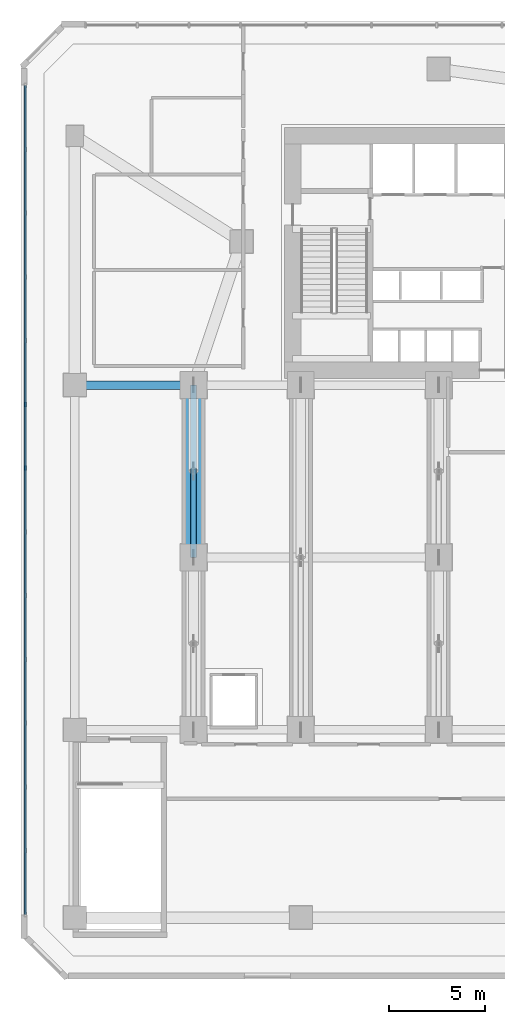
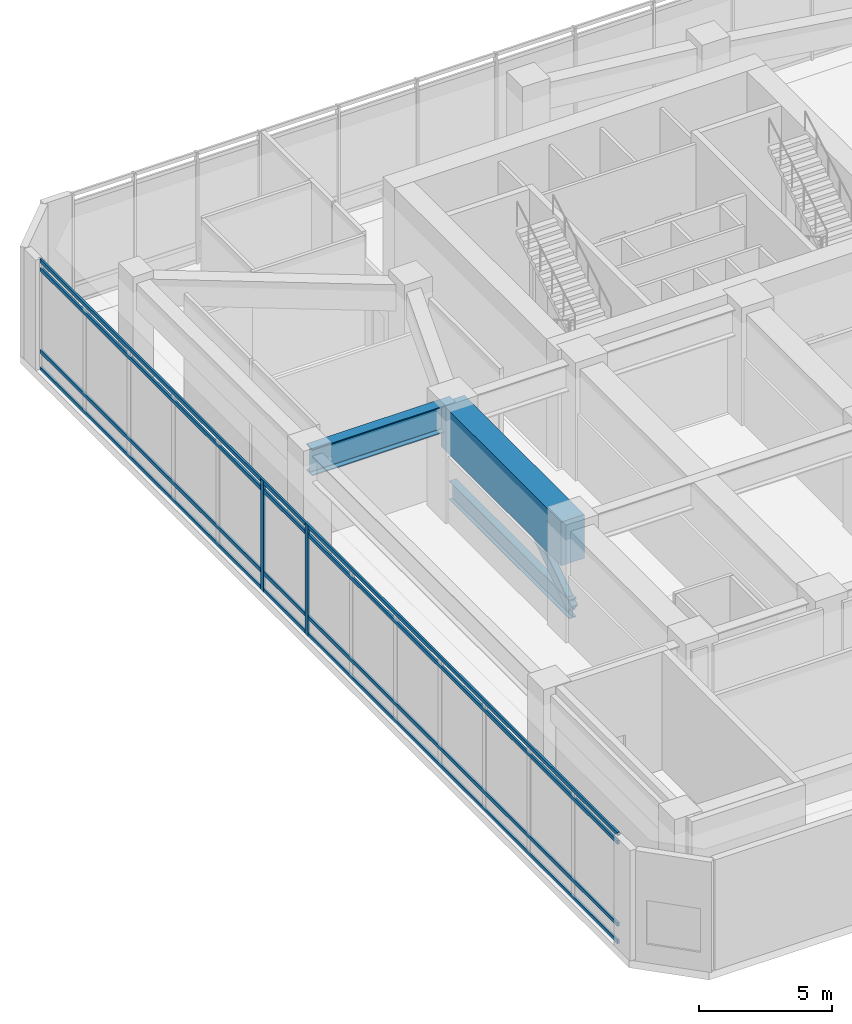
# One storey, part 4 of 21: 7 members, 3 beams, 1 element without a shape of its own.
"""IFC4 building model written with IfcOpenShell, lengths in metres."""

from ifc_helpers import new_model, si_unit, direction, frame, origin, origin_2d, place, context, subcontext, project, spatial, rectangle, hollow_rectangle, i_section, extrude, source, transform, mapped, material, material_profile, profile_set, type_object, element, aggregate, save


model = new_model("IFC4")

# Units and contexts
model_context = context("Model", 3, precision=1e-05, world=origin(), true_north=direction((0.0, 1.0)))
body_context = subcontext(model_context, "Body", "Model", "MODEL_VIEW")
ifc_project = project(units=[si_unit("LENGTHUNIT", "METRE"), si_unit("AREAUNIT", "SQUARE_METRE"), si_unit("VOLUMEUNIT", "CUBIC_METRE"), si_unit("PLANEANGLEUNIT", "RADIAN"), si_unit("MASSUNIT", "GRAM", prefix="KILO")], contexts=[model_context])

# Site, building, storey
site_placement = place(None, origin())
site = spatial("IfcSite", under=ifc_project, at=site_placement, CompositionType="ELEMENT")
building_placement = place(site_placement, origin())
building = spatial("IfcBuilding", under=site, at=building_placement, Name="Calvemar Wedge Station Tower", CompositionType="ELEMENT")
storey_placement = place(building_placement, frame((0.0, 0.0, 21.60009765625)))
storey = spatial("IfcBuildingStorey", under=building, at=storey_placement, Name="L05", CompositionType="ELEMENT", Elevation=21.60009765625)

# Beams
ifc_material_1 = material(Name="Structural steel ASTM A572 Grade 50", Category="steel")
ifc_material_profile_1 = material_profile(ifc_material_1, i_section(OverallWidth=0.303955078125, OverallDepth=0.862060546875, WebThickness=0.019775390625, FlangeThickness=0.035888671875, FilletRadius=0.02001953125, at=origin_2d()), Name="W840x329")
ifc_profile_set_1 = profile_set([ifc_material_profile_1], Name="Structural steel ASTM A572 Grade 50")
beam_type_1 = type_object("IfcBeamType", Name="BM-TR2-W840", PredefinedType="BEAM", material=ifc_profile_set_1)
shared_shape_1 = source(origin(), body_context, "Body", "SweptSolid", [
    extrude(i_section(OverallWidth=0.303955078125, OverallDepth=0.862060546875, WebThickness=0.019775390625, FlangeThickness=0.035888671875, FilletRadius=0.02001953125, at=origin_2d()), origin(), (0.0, 0.0, 1.0), 9.0),
])
beam_1_placement = place(storey_placement, frame((11.0, 24.0, 0.930908203125), z_axis=(0.0, 1.0, 0.0), x_axis=(-1.0, 0.0, 0.0)))
element("IfcBeam", 1, at=beam_1_placement, inside=storey, type_object=beam_type_1, Name="Warren Transfer Truss TR1 Bottom Chord 2", PredefinedType="BEAM", context=body_context, shape_type="MappedRepresentation", body=[
    mapped(shared_shape_1, transform((0.0, 0.0, 0.0), scale=1.0)),
])
ifc_material_2 = material(Name="Concrete C70", Category="concrete")
ifc_material_profile_2 = material_profile(ifc_material_2, rectangle(XDim=1.0, YDim=2.0, at=origin_2d()), Name="RC1000x2000")
ifc_profile_set_2 = profile_set([ifc_material_profile_2], Name="Concrete C70")
beam_type_2 = type_object("IfcBeamType", Name="BM-TG1-2000", PredefinedType="BEAM", material=ifc_profile_set_2)
shared_shape_2 = source(origin(), body_context, "Body", "SweptSolid", [
    extrude(rectangle(XDim=1.0, YDim=2.0, at=origin_2d()), origin(), (0.0, 0.0, 1.0), 9.0),
])
beam_2_placement = place(storey_placement, frame((11.0, 24.0, 4.0498046875), z_axis=(0.0, 1.0, 0.0), x_axis=(-1.0, 0.0, 0.0)))
element("IfcBeam", 2, at=beam_2_placement, inside=storey, type_object=beam_type_2, Name="L05 Transfer Girder TG-L05-W2", PredefinedType="BEAM", context=body_context, shape_type="MappedRepresentation", body=[
    mapped(shared_shape_2, transform((0.0, 0.0, 0.0), scale=1.0)),
])

# Member
ifc_material_profile_3 = material_profile(ifc_material_1, hollow_rectangle(XDim=0.300048828125, YDim=0.5, WallThickness=0.02197265625, InnerFilletRadius=0.02197265625, OuterFilletRadius=0.0439453125, at=origin_2d()), Name="HSS500x300x22")
ifc_profile_set_3 = profile_set([ifc_material_profile_3], Name="Structural steel ASTM A572 Grade 50")
member_type_1 = type_object("IfcMemberType", Name="MEM-D1-HSS500", PredefinedType="BRACE", material=ifc_profile_set_3)
shared_shape_3 = source(origin(), body_context, "Body", "SweptSolid", [
    extrude(hollow_rectangle(XDim=0.300048828125, YDim=0.5, WallThickness=0.02197265625, InnerFilletRadius=0.02197265625, OuterFilletRadius=0.0439453125, at=origin_2d()), origin(), (0.0, 0.0, 1.0), 5.47509765625),
])
member_1_placement = place(storey_placement, frame((11.0, 24.0, 0.930908203125), z_axis=(0.0, 0.821891894139, 0.569643497592), x_axis=(-1.0, 0.0, 0.0)))
element("IfcMember", 3, at=member_1_placement, inside=storey, type_object=member_type_1, Name="Warren Transfer Truss TR1 Diagonal 2A", PredefinedType="BRACE", context=body_context, shape_type="MappedRepresentation", body=[
    mapped(shared_shape_3, transform((0.0, 0.0, 0.0), scale=1.0)),
])

# Beam
ifc_material_profile_4 = material_profile(ifc_material_1, i_section(OverallWidth=0.449951171875, OverallDepth=1.219970703125, WebThickness=0.02587890625, FlangeThickness=0.0458984375, FilletRadius=0.02392578125, at=origin_2d()), Name="W1200x540")
ifc_profile_set_4 = profile_set([ifc_material_profile_4], Name="Structural steel ASTM A572 Grade 50")
beam_type_3 = type_object("IfcBeamType", Name="BM-TG3-W1200", PredefinedType="BEAM", material=ifc_profile_set_4)
shared_shape_4 = source(origin(), body_context, "Body", "SweptSolid", [
    extrude(i_section(OverallWidth=0.449951171875, OverallDepth=1.219970703125, WebThickness=0.02587890625, FlangeThickness=0.0458984375, FilletRadius=0.02392578125, at=origin_2d()), origin(), (0.0, 0.0, 1.0), 6.199951171875),
])
beam_3_placement = place(storey_placement, frame((4.800048828125, 33.0, 4.43994140625), z_axis=(1.0, 0.0, 0.0), x_axis=(0.0, 1.0, 0.0)))
element("IfcBeam", 4, at=beam_3_placement, inside=storey, type_object=beam_type_3, Name="L05 Transfer Deck Tie Girder P-CN0-P-CN1", PredefinedType="BEAM", context=body_context, shape_type="MappedRepresentation", body=[
    mapped(shared_shape_4, transform((0.0, 0.0, 0.0), scale=1.0)),
])

# Curtain wall, members
ifc_material_3 = material(Name="Anodised aluminium 6063-T6", Category="aluminium")
curtain_wall_type = type_object("IfcCurtainWallType", Name="CW5", PredefinedType="NOTDEFINED", material=ifc_material_3)
curtain_wall_placement = place(storey_placement, origin())
curtain_wall = element("IfcCurtainWall", 5, at=curtain_wall_placement, inside=storey, type_object=curtain_wall_type, Name="Storey L05 CW5 Recessed Unitised Curtain Wall 6", PredefinedType="NOTDEFINED")
ifc_material_profile_5 = material_profile(ifc_material_3, rectangle(XDim=0.0849609375, YDim=0.169921875, at=origin_2d()), Name="AL-TRN-85x170")
ifc_profile_set_5 = profile_set([ifc_material_profile_5], Name="Anodised aluminium 6063-T6")
member_type_2 = type_object("IfcMemberType", Name="CW5-TRN", PredefinedType="USERDEFINED", material=ifc_profile_set_5)
shared_shape_5 = source(origin(), body_context, "Body", "SweptSolid", [
    extrude(rectangle(XDim=0.0849609375, YDim=0.169921875, at=origin_2d()), origin(), (0.0, 0.0, 1.0), 43.27587890625),
])
member_2_placement = place(storey_placement, frame((2.2099609375, 48.637939453125, 0.059814453125), z_axis=(0.0, -1.0, 0.0), x_axis=(1.0, 0.0, 0.0)))
member_2 = element("IfcMember", 6, at=member_2_placement, type_object=member_type_2, Name="CW5 transom 1", ObjectType="TRANSOM", PredefinedType="USERDEFINED", context=body_context, shape_type="MappedRepresentation", body=[
    mapped(shared_shape_5, transform((0.0, 0.0, 0.0), scale=1.0)),
])
member_3_placement = place(storey_placement, frame((2.2099609375, 48.637939453125, 0.849853515625), z_axis=(0.0, -1.0, 0.0), x_axis=(1.0, 0.0, 0.0)))
member_3 = element("IfcMember", 7, at=member_3_placement, type_object=member_type_2, Name="CW5 transom 2", ObjectType="TRANSOM", PredefinedType="USERDEFINED", context=body_context, shape_type="MappedRepresentation", body=[
    mapped(shared_shape_5, transform((0.0, 0.0, 0.0), scale=1.0)),
])
member_4_placement = place(storey_placement, frame((2.2099609375, 48.637939453125, 4.599853515625), z_axis=(0.0, -1.0, 0.0), x_axis=(1.0, 0.0, 0.0)))
member_4 = element("IfcMember", 8, at=member_4_placement, type_object=member_type_2, Name="CW5 transom 3", ObjectType="TRANSOM", PredefinedType="USERDEFINED", context=body_context, shape_type="MappedRepresentation", body=[
    mapped(shared_shape_5, transform((0.0, 0.0, 0.0), scale=1.0)),
])
member_5_placement = place(storey_placement, frame((2.2099609375, 48.637939453125, 4.989990234375), z_axis=(0.0, -1.0, 0.0), x_axis=(1.0, 0.0, 0.0)))
member_5 = element("IfcMember", 9, at=member_5_placement, type_object=member_type_2, Name="CW5 transom 4", ObjectType="TRANSOM", PredefinedType="USERDEFINED", context=body_context, shape_type="MappedRepresentation", body=[
    mapped(shared_shape_5, transform((0.0, 0.0, 0.0), scale=1.0)),
])
ifc_material_profile_6 = material_profile(ifc_material_3, rectangle(XDim=0.0849609375, YDim=0.239990234375, at=origin_2d()), Name="AL-MUL-85x240")
ifc_profile_set_6 = profile_set([ifc_material_profile_6], Name="Anodised aluminium 6063-T6")
member_type_3 = type_object("IfcMemberType", Name="CW5-MUL", PredefinedType="MULLION", material=ifc_profile_set_6)
shared_shape_6 = source(origin(), body_context, "Body", "SweptSolid", [
    extrude(rectangle(XDim=0.0849609375, YDim=0.239990234375, at=origin_2d()), origin(), (0.0, 0.0, 1.0), 5.099853515625),
])
member_6_placement = place(storey_placement, frame((2.2099609375, 31.993408203125, -0.050048828125), z_axis=(0.0, 0.0, 1.0), x_axis=(1.0, 0.0, 0.0)))
member_6 = element("IfcMember", 10, at=member_6_placement, type_object=member_type_3, Name="CW5 mullion 6", PredefinedType="MULLION", context=body_context, shape_type="MappedRepresentation", body=[
    mapped(shared_shape_6, transform((0.0, 0.0, 0.0), scale=1.0)),
])
member_7_placement = place(storey_placement, frame((2.2099609375, 28.66455078125, -0.050048828125), z_axis=(0.0, 0.0, 1.0), x_axis=(1.0, 0.0, 0.0)))
member_7 = element("IfcMember", 11, at=member_7_placement, type_object=member_type_3, Name="CW5 mullion 7", PredefinedType="MULLION", context=body_context, shape_type="MappedRepresentation", body=[
    mapped(shared_shape_6, transform((0.0, 0.0, 0.0), scale=1.0)),
])
aggregate(curtain_wall, [member_6, member_7, member_2, member_3, member_4, member_5])

save(model, "model.ifc")
